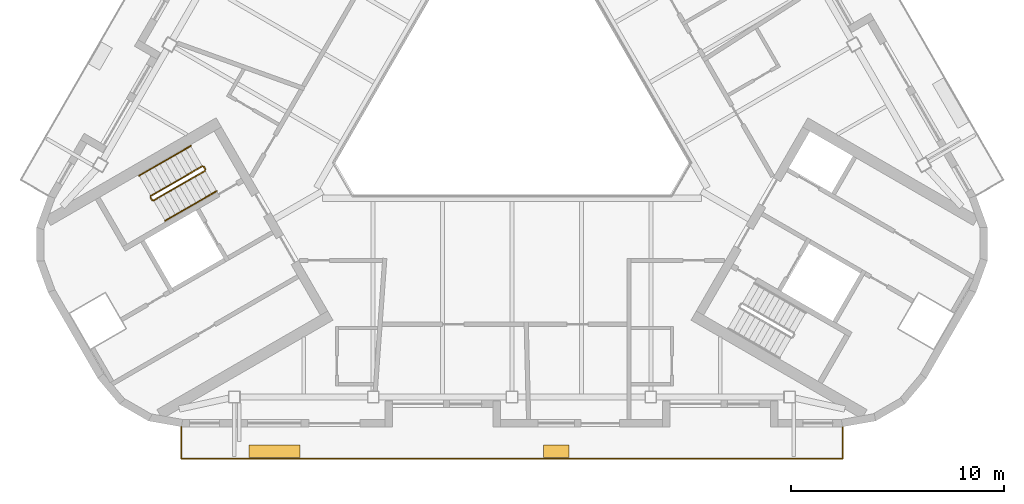
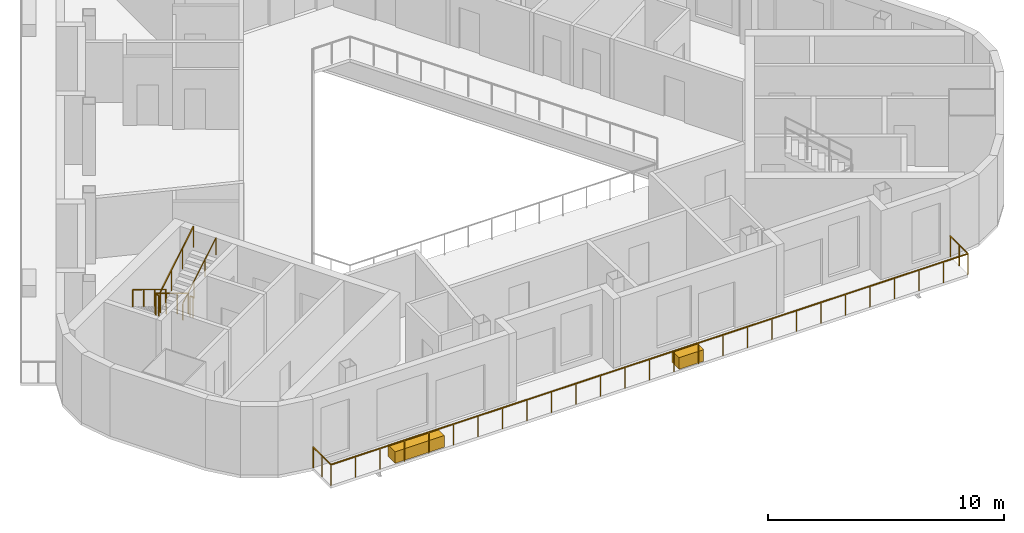
# One storey, part 8 of 11: 7 railings, 2 coverings.
"""IFC4 building model written with IfcOpenShell, lengths in metres."""

from ifc_helpers import new_model, si_unit, direction, frame, origin, origin_2d, place, context, subcontext, project, spatial, rectangle, circle, extrude, material, type_object, element, save


model = new_model("IFC4")

# Units and contexts
model_context = context("Model", 3, precision=1e-05, world=origin(), true_north=direction((0.0, 1.0)))
body_context = subcontext(model_context, "Body", "Model", "MODEL_VIEW")
ifc_project = project(units=[si_unit("LENGTHUNIT", "METRE"), si_unit("AREAUNIT", "SQUARE_METRE"), si_unit("VOLUMEUNIT", "CUBIC_METRE"), si_unit("PLANEANGLEUNIT", "RADIAN"), si_unit("MASSUNIT", "GRAM", prefix="KILO")], contexts=[model_context])

# Site, building, storey
site_placement = place(None, origin())
site = spatial("IfcSite", under=ifc_project, at=site_placement, CompositionType="ELEMENT")
building_placement = place(site_placement, origin())
building = spatial("IfcBuilding", under=site, at=building_placement, Name="Apuvela Tower Hotel", CompositionType="ELEMENT")
storey_placement = place(building_placement, frame((0.0, 0.0, 317.0)))
storey = spatial("IfcBuildingStorey", under=building, at=storey_placement, Name="L79", CompositionType="ELEMENT", Elevation=317.0)

# Railings
ifc_material_1 = material(Name="Steel S275 balustrade", Category="steel")
railing_type_1 = type_object("IfcRailingType", Name="COR-GUARD-1100", PredefinedType="GUARDRAIL", material=ifc_material_1)
railing_1_placement = place(storey_placement, frame((-14.569091796875, -3.9658203125, 0.168212890625)))
element("IfcRailing", 1, at=railing_1_placement, inside=storey, type_object=railing_type_1, Name="L79 ST2 stair guard 1", PredefinedType="GUARDRAIL", context=body_context, shape_type="SweptSolid", body=[
    extrude(rectangle(XDim=0.048095703125, YDim=0.048095703125, at=origin_2d()), frame((0.0, 0.0, 1.076171875), z_axis=(-0.742390482028, -0.42860119049, 0.514934356695), x_axis=(0.49998411664, -0.866034573852, 0.0)), (0.0, 0.0, 1.0), 3.26611328125),
    extrude(rectangle(XDim=0.0419921875, YDim=0.0419921875, at=origin_2d()), origin(), (0.0, 0.0, 1.0), 1.052001953125),
    extrude(rectangle(XDim=0.0419921875, YDim=0.0419921875, at=origin_2d()), frame((-0.808349609375, -0.466552734375, 0.560546875)), (0.0, 0.0, 1.0), 1.052001953125),
    extrude(rectangle(XDim=0.0419921875, YDim=0.0419921875, at=origin_2d()), frame((-1.616455078125, -0.933349609375, 1.121337890625)), (0.0, 0.0, 1.0), 1.052001953125),
    extrude(rectangle(XDim=0.0419921875, YDim=0.0419921875, at=origin_2d()), frame((-2.4248046875, -1.39990234375, 1.681884765625)), (0.0, 0.0, 1.0), 1.052001953125),
])
railing_2_placement = place(storey_placement, frame((-17.01220703125, -5.43408203125, 1.85009765625)))
element("IfcRailing", 2, at=railing_2_placement, inside=storey, type_object=railing_type_1, Name="L79 ST2 stair guard 2", PredefinedType="GUARDRAIL", context=body_context, shape_type="SweptSolid", body=[
    extrude(rectangle(XDim=0.048095703125, YDim=0.048095703125, at=origin_2d()), frame((0.0, 0.0, 1.076171875), z_axis=(0.499816412211, -0.866131372301, 0.0), x_axis=(0.866131372301, 0.499816412211, 0.0)), (0.0, 0.0, 1.0), 0.14990234375),
    extrude(rectangle(XDim=0.0419921875, YDim=0.0419921875, at=origin_2d()), origin(), (0.0, 0.0, 1.0), 1.052001953125),
    extrude(rectangle(XDim=0.0419921875, YDim=0.0419921875, at=origin_2d()), frame((0.074951171875, -0.1298828125, 0.0)), (0.0, 0.0, 1.0), 1.052001953125),
])
railing_3_placement = place(storey_placement, frame((-16.868896484375, -5.582275390625, 2.01806640625)))
element("IfcRailing", 3, at=railing_3_placement, inside=storey, type_object=railing_type_1, Name="L79 ST2 stair guard 3", PredefinedType="GUARDRAIL", context=body_context, shape_type="SweptSolid", body=[
    extrude(rectangle(XDim=0.048095703125, YDim=0.048095703125, at=origin_2d()), frame((0.0, 0.0, 1.076171875), z_axis=(0.742390482028, 0.42860119049, 0.514934356695), x_axis=(-0.49998411664, 0.866034573852, 0.0)), (0.0, 0.0, 1.0), 3.26611328125),
    extrude(rectangle(XDim=0.0419921875, YDim=0.0419921875, at=origin_2d()), origin(), (0.0, 0.0, 1.0), 1.052001953125),
    extrude(rectangle(XDim=0.0419921875, YDim=0.0419921875, at=origin_2d()), frame((0.808349609375, 0.466552734375, 0.560546875)), (0.0, 0.0, 1.0), 1.052001953125),
    extrude(rectangle(XDim=0.0419921875, YDim=0.0419921875, at=origin_2d()), frame((1.616455078125, 0.933349609375, 1.121337890625)), (0.0, 0.0, 1.0), 1.052001953125),
    extrude(rectangle(XDim=0.0419921875, YDim=0.0419921875, at=origin_2d()), frame((2.4248046875, 1.39990234375, 1.681884765625)), (0.0, 0.0, 1.0), 1.052001953125),
])
railing_4_placement = place(storey_placement, frame((-14.500732421875, -3.984130859375, 0.0)))
element("IfcRailing", 4, at=railing_4_placement, inside=storey, type_object=railing_type_1, Name="L79 ST2 stair guard 4", PredefinedType="GUARDRAIL", context=body_context, shape_type="SweptSolid", body=[
    extrude(rectangle(XDim=0.048095703125, YDim=0.048095703125, at=origin_2d()), frame((0.0, 0.0, 1.076171875), z_axis=(0.499816412211, -0.866131372301, 0.0), x_axis=(0.866131372301, 0.499816412211, 0.0)), (0.0, 0.0, 1.0), 0.14990234375),
    extrude(rectangle(XDim=0.0419921875, YDim=0.0419921875, at=origin_2d()), origin(), (0.0, 0.0, 1.0), 1.052001953125),
    extrude(rectangle(XDim=0.0419921875, YDim=0.0419921875, at=origin_2d()), frame((0.074951171875, -0.1298828125, 0.0)), (0.0, 0.0, 1.0), 1.052001953125),
])
ifc_material_2 = material(Name="Stainless steel 316 handrail", Category="steel")
railing_type_2 = type_object("IfcRailingType", Name="COR-HANDRAIL-900", PredefinedType="HANDRAIL", material=ifc_material_2)
railing_5_placement = place(storey_placement, frame((-15.118896484375, -3.01318359375, 0.168212890625)))
element("IfcRailing", 5, at=railing_5_placement, inside=storey, type_object=railing_type_2, Name="L79 ST2 stair handrail 1", PredefinedType="HANDRAIL", context=body_context, shape_type="SweptSolid", body=[
    extrude(circle(Radius=0.02392578125, at=origin_2d()), frame((0.0, 0.0, 0.8759765625), z_axis=(-0.742424030051, -0.428577407461, 0.514905783049), x_axis=(0.49994636267, -0.866056369097, 0.0)), (0.0, 0.0, 1.0), 3.266357421875),
    extrude(rectangle(XDim=0.0419921875, YDim=0.0419921875, at=origin_2d()), origin(), (0.0, 0.0, 1.0), 0.851806640625),
    extrude(rectangle(XDim=0.0419921875, YDim=0.0419921875, at=origin_2d()), frame((-0.808349609375, -0.466552734375, 0.560546875)), (0.0, 0.0, 1.0), 0.851806640625),
    extrude(rectangle(XDim=0.0419921875, YDim=0.0419921875, at=origin_2d()), frame((-1.61669921875, -0.933349609375, 1.121337890625)), (0.0, 0.0, 1.0), 0.851806640625),
    extrude(rectangle(XDim=0.0419921875, YDim=0.0419921875, at=origin_2d()), frame((-2.425048828125, -1.39990234375, 1.681884765625)), (0.0, 0.0, 1.0), 0.851806640625),
])
railing_6_placement = place(storey_placement, frame((-16.31884765625, -6.534912109375, 2.01806640625)))
element("IfcRailing", 6, at=railing_6_placement, inside=storey, type_object=railing_type_2, Name="L79 ST2 stair handrail 2", PredefinedType="HANDRAIL", context=body_context, shape_type="SweptSolid", body=[
    extrude(circle(Radius=0.02392578125, at=origin_2d()), frame((0.0, 0.0, 0.8759765625), z_axis=(0.742390482028, 0.42860119049, 0.514934356695), x_axis=(-0.49998411664, 0.866034573852, 0.0)), (0.0, 0.0, 1.0), 3.26611328125),
    extrude(rectangle(XDim=0.0419921875, YDim=0.0419921875, at=origin_2d()), origin(), (0.0, 0.0, 1.0), 0.851806640625),
    extrude(rectangle(XDim=0.0419921875, YDim=0.0419921875, at=origin_2d()), frame((0.808349609375, 0.466552734375, 0.560546875)), (0.0, 0.0, 1.0), 0.851806640625),
    extrude(rectangle(XDim=0.0419921875, YDim=0.0419921875, at=origin_2d()), frame((1.616455078125, 0.933349609375, 1.121337890625)), (0.0, 0.0, 1.0), 0.851806640625),
    extrude(rectangle(XDim=0.0419921875, YDim=0.0419921875, at=origin_2d()), frame((2.4248046875, 1.39990234375, 1.681884765625)), (0.0, 0.0, 1.0), 0.851806640625),
])
ifc_material_3 = material(Name="Stainless steel 316 rail with laminated glass infill", Category="steel")
railing_type_3 = type_object("IfcRailingType", Name="ENV-GUARD-1100", PredefinedType="GUARDRAIL", material=ifc_material_3)
railing_7_placement = place(storey_placement, frame((-15.554443359375, -16.2275390625, 0.0)))
element("IfcRailing", 7, at=railing_7_placement, inside=storey, type_object=railing_type_3, Name="Balcony guard S L79", PredefinedType="GUARDRAIL", context=body_context, shape_type="SweptSolid", body=[
    extrude(rectangle(XDim=0.050048828125, YDim=0.050048828125, at=origin_2d()), frame((0.0, 0.0, 1.0751953125), z_axis=(0.0, -1.0, 0.0), x_axis=(1.0, 0.0, 0.0)), (0.0, 0.0, 1.0), 1.5),
    extrude(rectangle(XDim=0.050048828125, YDim=0.050048828125, at=origin_2d()), frame((0.0, -1.5, 1.0751953125), z_axis=(1.0, 0.0, 0.0), x_axis=(0.0, 1.0, 0.0)), (0.0, 0.0, 1.0), 31.10888671875),
    extrude(rectangle(XDim=0.050048828125, YDim=0.050048828125, at=origin_2d()), frame((31.10888671875, -1.5, 1.0751953125), z_axis=(0.0, 1.0, 0.0), x_axis=(-1.0, 0.0, 0.0)), (0.0, 0.0, 1.0), 1.5),
    extrude(rectangle(XDim=0.0400390625, YDim=0.0400390625, at=origin_2d()), origin(), (0.0, 0.0, 1.0), 1.050048828125),
    extrude(rectangle(XDim=0.0400390625, YDim=0.0400390625, at=origin_2d()), frame((0.0, -0.75, 0.0)), (0.0, 0.0, 1.0), 1.050048828125),
    extrude(rectangle(XDim=0.0400390625, YDim=0.0400390625, at=origin_2d()), frame((0.0, -1.5, 0.0)), (0.0, 0.0, 1.0), 1.050048828125),
    extrude(rectangle(XDim=0.0400390625, YDim=0.0400390625, at=origin_2d()), frame((1.196533203125, -1.5, 0.0)), (0.0, 0.0, 1.0), 1.050048828125),
    extrude(rectangle(XDim=0.0400390625, YDim=0.0400390625, at=origin_2d()), frame((2.39306640625, -1.5, 0.0)), (0.0, 0.0, 1.0), 1.050048828125),
    extrude(rectangle(XDim=0.0400390625, YDim=0.0400390625, at=origin_2d()), frame((3.589599609375, -1.5, 0.0)), (0.0, 0.0, 1.0), 1.050048828125),
    extrude(rectangle(XDim=0.0400390625, YDim=0.0400390625, at=origin_2d()), frame((4.785888671875, -1.5, 0.0)), (0.0, 0.0, 1.0), 1.050048828125),
    extrude(rectangle(XDim=0.0400390625, YDim=0.0400390625, at=origin_2d()), frame((5.982421875, -1.5, 0.0)), (0.0, 0.0, 1.0), 1.050048828125),
    extrude(rectangle(XDim=0.0400390625, YDim=0.0400390625, at=origin_2d()), frame((7.178955078125, -1.5, 0.0)), (0.0, 0.0, 1.0), 1.050048828125),
    extrude(rectangle(XDim=0.0400390625, YDim=0.0400390625, at=origin_2d()), frame((8.37548828125, -1.5, 0.0)), (0.0, 0.0, 1.0), 1.050048828125),
    extrude(rectangle(XDim=0.0400390625, YDim=0.0400390625, at=origin_2d()), frame((9.572021484375, -1.5, 0.0)), (0.0, 0.0, 1.0), 1.050048828125),
    extrude(rectangle(XDim=0.0400390625, YDim=0.0400390625, at=origin_2d()), frame((10.7685546875, -1.5, 0.0)), (0.0, 0.0, 1.0), 1.050048828125),
    extrude(rectangle(XDim=0.0400390625, YDim=0.0400390625, at=origin_2d()), frame((11.96484375, -1.5, 0.0)), (0.0, 0.0, 1.0), 1.050048828125),
    extrude(rectangle(XDim=0.0400390625, YDim=0.0400390625, at=origin_2d()), frame((13.161376953125, -1.5, 0.0)), (0.0, 0.0, 1.0), 1.050048828125),
    extrude(rectangle(XDim=0.0400390625, YDim=0.0400390625, at=origin_2d()), frame((14.35791015625, -1.5, 0.0)), (0.0, 0.0, 1.0), 1.050048828125),
    extrude(rectangle(XDim=0.0400390625, YDim=0.0400390625, at=origin_2d()), frame((15.554443359375, -1.5, 0.0)), (0.0, 0.0, 1.0), 1.050048828125),
    extrude(rectangle(XDim=0.0400390625, YDim=0.0400390625, at=origin_2d()), frame((16.7509765625, -1.5, 0.0)), (0.0, 0.0, 1.0), 1.050048828125),
    extrude(rectangle(XDim=0.0400390625, YDim=0.0400390625, at=origin_2d()), frame((17.947509765625, -1.5, 0.0)), (0.0, 0.0, 1.0), 1.050048828125),
    extrude(rectangle(XDim=0.0400390625, YDim=0.0400390625, at=origin_2d()), frame((19.14404296875, -1.5, 0.0)), (0.0, 0.0, 1.0), 1.050048828125),
    extrude(rectangle(XDim=0.0400390625, YDim=0.0400390625, at=origin_2d()), frame((20.34033203125, -1.5, 0.0)), (0.0, 0.0, 1.0), 1.050048828125),
    extrude(rectangle(XDim=0.0400390625, YDim=0.0400390625, at=origin_2d()), frame((21.536865234375, -1.5, 0.0)), (0.0, 0.0, 1.0), 1.050048828125),
    extrude(rectangle(XDim=0.0400390625, YDim=0.0400390625, at=origin_2d()), frame((22.7333984375, -1.5, 0.0)), (0.0, 0.0, 1.0), 1.050048828125),
    extrude(rectangle(XDim=0.0400390625, YDim=0.0400390625, at=origin_2d()), frame((23.929931640625, -1.5, 0.0)), (0.0, 0.0, 1.0), 1.050048828125),
    extrude(rectangle(XDim=0.0400390625, YDim=0.0400390625, at=origin_2d()), frame((25.12646484375, -1.5, 0.0)), (0.0, 0.0, 1.0), 1.050048828125),
    extrude(rectangle(XDim=0.0400390625, YDim=0.0400390625, at=origin_2d()), frame((26.322998046875, -1.5, 0.0)), (0.0, 0.0, 1.0), 1.050048828125),
    extrude(rectangle(XDim=0.0400390625, YDim=0.0400390625, at=origin_2d()), frame((27.519287109375, -1.5, 0.0)), (0.0, 0.0, 1.0), 1.050048828125),
    extrude(rectangle(XDim=0.0400390625, YDim=0.0400390625, at=origin_2d()), frame((28.7158203125, -1.5, 0.0)), (0.0, 0.0, 1.0), 1.050048828125),
    extrude(rectangle(XDim=0.0400390625, YDim=0.0400390625, at=origin_2d()), frame((29.912353515625, -1.5, 0.0)), (0.0, 0.0, 1.0), 1.050048828125),
    extrude(rectangle(XDim=0.0400390625, YDim=0.0400390625, at=origin_2d()), frame((31.10888671875, -1.5, 0.0)), (0.0, 0.0, 1.0), 1.050048828125),
    extrude(rectangle(XDim=0.0400390625, YDim=0.0400390625, at=origin_2d()), frame((31.10888671875, -0.75, 0.0)), (0.0, 0.0, 1.0), 1.050048828125),
    extrude(rectangle(XDim=0.0400390625, YDim=0.0400390625, at=origin_2d()), frame((31.10888671875, 0.0, 0.0)), (0.0, 0.0, 1.0), 1.050048828125),
])

# Coverings
ifc_material_4 = material(Name="Planting substrate and soil, planted")
covering_type_1 = type_object("IfcCoveringType", Name="ENV-PLANTER-1200x600", PredefinedType="USERDEFINED", material=ifc_material_4)
covering_1_placement = place(storey_placement, frame((2.079833984375, -17.37744140625, 0.0), z_axis=(0.0, 0.0, 1.0), x_axis=(1.0, 0.0, 0.0)))
element("IfcCovering", 8, at=covering_1_placement, inside=storey, type_object=covering_type_1, Name="Planter S2", ObjectType="PLANTER", PredefinedType="USERDEFINED", context=body_context, shape_type="SweptSolid", body=[
    extrude(rectangle(XDim=1.199951171875, YDim=0.60009765625, at=origin_2d()), origin(), (0.0, 0.0, 1.0), 0.60009765625),
])
covering_type_2 = type_object("IfcCoveringType", Name="ENV-PLANTER-2400x600", PredefinedType="USERDEFINED", material=ifc_material_4)
covering_2_placement = place(storey_placement, frame((-11.18603515625, -17.37744140625, 0.0), z_axis=(0.0, 0.0, 1.0), x_axis=(1.0, 0.0, 0.0)))
element("IfcCovering", 9, at=covering_2_placement, inside=storey, type_object=covering_type_2, Name="Planter S1", ObjectType="PLANTER", PredefinedType="USERDEFINED", context=body_context, shape_type="SweptSolid", body=[
    extrude(rectangle(XDim=2.39990234375, YDim=0.60009765625, at=origin_2d()), origin(), (0.0, 0.0, 1.0), 0.60009765625),
])

save(model, "model.ifc")
